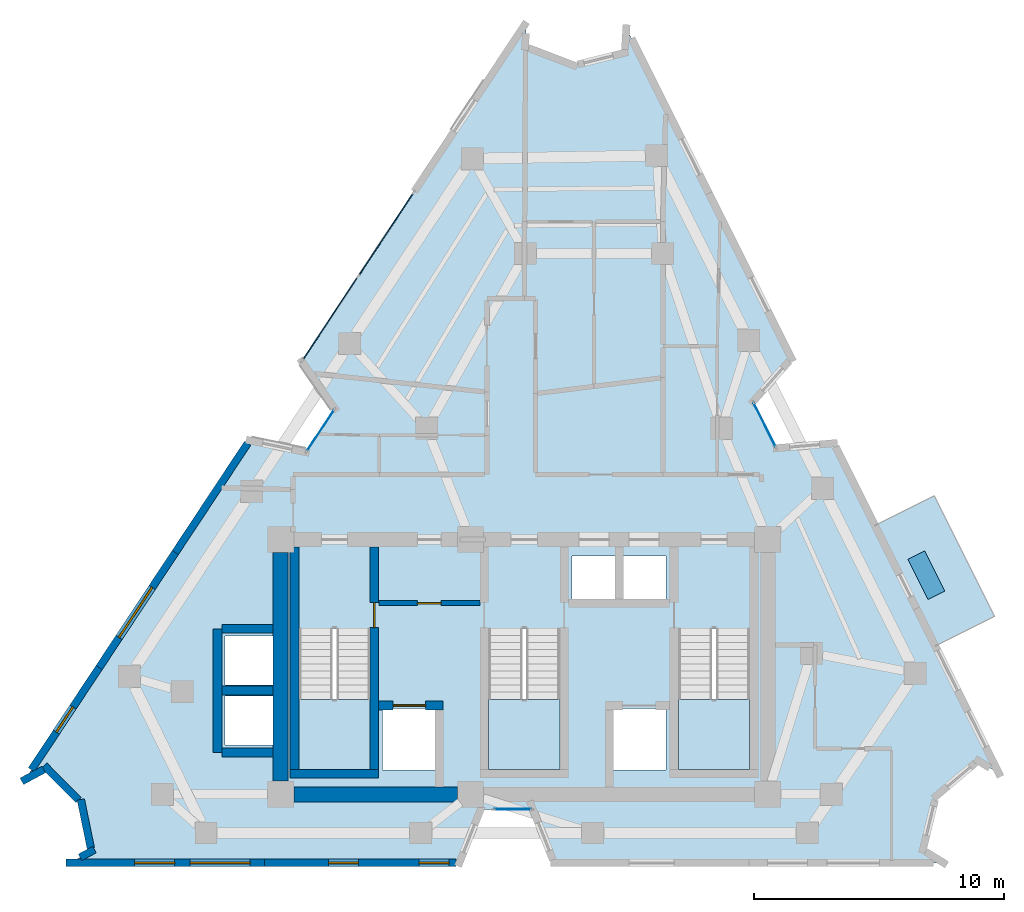
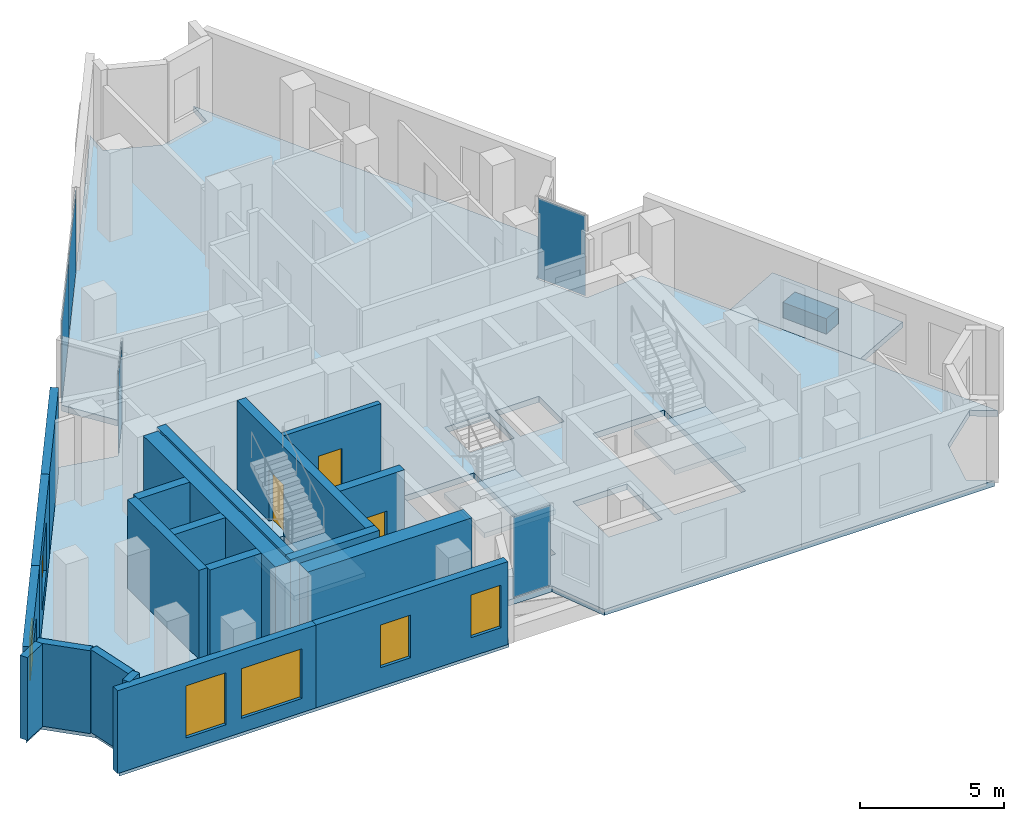
# One storey, part 4 of 9: 20 walls, 6 plates, 6 windows, 5 slabs, 3 doors, 9 openings, 7 elements without a shape of their own.
"""IFC4 building model written with IfcOpenShell, lengths in metres."""

from ifc_helpers import new_model, si_unit, direction, frame, frame_2d, origin, origin_2d, place, context, subcontext, project, spatial, polyline, rectangle, outline, extrude, material, layer, layer_set, type_object, element, fill, aggregate, save


model = new_model("IFC4")

# Units and contexts
model_context = context("Model", 3, precision=1e-05, world=origin(), true_north=direction((0.0, 1.0)))
body_context = subcontext(model_context, "Body", "Model", "MODEL_VIEW")
ifc_project = project(units=[si_unit("LENGTHUNIT", "METRE"), si_unit("AREAUNIT", "SQUARE_METRE"), si_unit("VOLUMEUNIT", "CUBIC_METRE"), si_unit("PLANEANGLEUNIT", "RADIAN"), si_unit("MASSUNIT", "GRAM", prefix="KILO")], contexts=[model_context])

# Site, building, storey
site_placement = place(None, origin())
site = spatial("IfcSite", under=ifc_project, at=site_placement, CompositionType="ELEMENT")
building_placement = place(site_placement, origin())
building = spatial("IfcBuilding", under=site, at=building_placement, Name="Almagre Mirador Tower", CompositionType="ELEMENT")
storey_placement = place(building_placement, frame((0.0, 0.0, 259.5)))
storey = spatial("IfcBuildingStorey", under=building, at=storey_placement, Name="L67", CompositionType="ELEMENT", Elevation=259.5)

# Curtain wall, plate
ifc_material_1 = material(Name="Black anodized aluminium", Category="aluminium")
ifc_layer_1 = layer(ifc_material_1, 0.169921875)
ifc_layer_set_1 = layer_set([ifc_layer_1], Name="Black anodized aluminium")
curtain_wall_type_1 = type_object("IfcCurtainWallType", Name="CW-CRS-SYS", PredefinedType="NOTDEFINED", material=ifc_layer_set_1)
curtain_wall_1_placement = place(storey_placement, origin())
curtain_wall_1 = element("IfcCurtainWall", 1, at=curtain_wall_1_placement, inside=storey, type_object=curtain_wall_type_1, Name="L67 vertical crease curtain wall 01", PredefinedType="NOTDEFINED")
ifc_material_2 = material(Name="Dark solar-control laminated hurricane glass", Category="glass")
ifc_layer_2 = layer(ifc_material_2, 0.028076171875)
ifc_layer_set_2 = layer_set([ifc_layer_2], Name="Dark solar-control laminated hurricane glass")
plate_type_1 = type_object("IfcPlateType", Name="PLT-GLZ-28", PredefinedType="CURTAIN_PANEL", material=ifc_layer_set_2)
plate_1_placement = place(storey_placement, frame((29.14306640625, 19.113037109375, 0.06005859375), z_axis=(0.0, 0.0, 1.0), x_axis=(0.552268175274, 0.833666517607, 0.0)))
plate_1 = element("IfcPlate", 2, at=plate_1_placement, type_object=plate_type_1, Name="CW-4 panel 1.1", PredefinedType="CURTAIN_PANEL", context=body_context, shape_type="SweptSolid", body=[
    extrude(rectangle(XDim=1.969482421875, YDim=0.028076171875, at=origin_2d()), origin(), (0.0, 0.0, 1.0), 3.3798828125),
])
aggregate(curtain_wall_1, [plate_1])

curtain_wall_2_placement = place(storey_placement, origin())
curtain_wall_2 = element("IfcCurtainWall", 3, at=curtain_wall_2_placement, inside=storey, type_object=curtain_wall_type_1, Name="L67 vertical crease curtain wall 03", PredefinedType="NOTDEFINED")
plate_2_placement = place(storey_placement, frame((46.927001953125, 19.33837890625, 0.06005859375), z_axis=(0.0, 0.0, 1.0), x_axis=(0.447022141087, -0.894522892596, 0.0)))
plate_2 = element("IfcPlate", 4, at=plate_2_placement, type_object=plate_type_1, Name="CW-4 panel 1.1", PredefinedType="CURTAIN_PANEL", context=body_context, shape_type="SweptSolid", body=[
    extrude(rectangle(XDim=1.969482421875, YDim=0.028076171875, at=origin_2d()), origin(), (0.0, 0.0, 1.0), 3.3798828125),
])
aggregate(curtain_wall_2, [plate_2])

curtain_wall_3_placement = place(storey_placement, origin())
curtain_wall_3 = element("IfcCurtainWall", 5, at=curtain_wall_3_placement, inside=storey, type_object=curtain_wall_type_1, Name="L67 vertical crease curtain wall 04", PredefinedType="NOTDEFINED")
plate_3_placement = place(storey_placement, frame((36.840087890625, 3.949951171875, 0.06005859375), z_axis=(0.0, 0.0, 1.0), x_axis=(-1.0, 0.0, 0.0)))
plate_3 = element("IfcPlate", 6, at=plate_3_placement, type_object=plate_type_1, Name="CW-4 panel 1.1", PredefinedType="CURTAIN_PANEL", context=body_context, shape_type="SweptSolid", body=[
    extrude(rectangle(XDim=1.489990234375, YDim=0.028076171875, at=origin_2d()), origin(), (0.0, 0.0, 1.0), 3.3798828125),
])
aggregate(curtain_wall_3, [plate_3])

# Curtain wall, plates
ifc_material_3 = material(Name="Black anodized aluminium", Category="aluminium")
ifc_layer_3 = layer(ifc_material_3, 0.199951171875)
ifc_layer_set_3 = layer_set([ifc_layer_3], Name="Black anodized aluminium")
curtain_wall_type_2 = type_object("IfcCurtainWallType", Name="CW-RES-H-SYS", PredefinedType="NOTDEFINED", material=ifc_layer_set_3)
curtain_wall_4_placement = place(storey_placement, origin())
curtain_wall_4 = element("IfcCurtainWall", 7, at=curtain_wall_4_placement, inside=storey, type_object=curtain_wall_type_2, Name="L67 curtain wall run 02", PredefinedType="NOTDEFINED")
ifc_material_4 = material(Name="Dark solar-control laminated hurricane glass", Category="glass")
ifc_layer_4 = layer(ifc_material_4, 0.035888671875)
ifc_layer_set_4 = layer_set([ifc_layer_4], Name="Dark solar-control laminated hurricane glass")
plate_type_2 = type_object("IfcPlateType", Name="PLT-GLZ-36", PredefinedType="CURTAIN_PANEL", material=ifc_layer_set_4)
plate_4_placement = place(storey_placement, frame((29.531982421875, 23.59521484375, 0.06494140625), z_axis=(0.0, 0.0, 1.0), x_axis=(0.552104840999, 0.833774696513, 0.0)))
plate_4 = element("IfcPlate", 8, at=plate_4_placement, type_object=plate_type_2, Name="CW-3 panel 1.1", PredefinedType="CURTAIN_PANEL", context=body_context, shape_type="SweptSolid", body=[
    extrude(rectangle(XDim=3.974609375, YDim=0.035888671875, at=origin_2d()), origin(), (0.0, 0.0, 1.0), 3.3701171875),
])
plate_5_placement = place(storey_placement, frame((31.762451171875, 26.96337890625, 0.06494140625), z_axis=(0.0, 0.0, 1.0), x_axis=(0.552104840999, 0.833774696513, 0.0)))
plate_5 = element("IfcPlate", 9, at=plate_5_placement, type_object=plate_type_2, Name="CW-3 panel 2.1", PredefinedType="CURTAIN_PANEL", context=body_context, shape_type="SweptSolid", body=[
    extrude(rectangle(XDim=3.974609375, YDim=0.035888671875, at=origin_2d()), origin(), (0.0, 0.0, 1.0), 3.3701171875),
])
aggregate(curtain_wall_4, [plate_4, plate_5])

# Plate
ifc_material_5 = material(Name="Precast concrete C50/60", Category="concrete")
ifc_layer_5 = layer(ifc_material_5, 0.64990234375)
ifc_layer_set_5 = layer_set([ifc_layer_5], Name="Precast concrete C50/60")
plate_type_3 = type_object("IfcPlateType", Name="PLT-PLANTER-1800", PredefinedType="USERDEFINED", material=ifc_layer_set_5)
plate_6_placement = place(storey_placement, frame((53.39990234375, 13.324951171875, 0.0), z_axis=(0.0, 0.0, 1.0), x_axis=(-0.44721279659, 0.894427590455, 0.0)))
element("IfcPlate", 10, at=plate_6_placement, inside=storey, type_object=plate_type_3, Name="L67 east balcony structural tree planter 1", ObjectType="PLANTER", PredefinedType="USERDEFINED", context=body_context, shape_type="SweptSolid", body=[
    extrude(rectangle(XDim=1.800048828125, YDim=0.75, at=origin_2d()), origin(), (0.0, 0.0, 1.0), 0.64990234375),
])

# Slabs
ifc_material_6 = material(Name="Concrete C45/55", Category="concrete")
ifc_layer_6 = layer(ifc_material_6, 0.239990234375)
ifc_layer_set_6 = layer_set([ifc_layer_6], Name="Concrete C45/55")
slab_type_1 = type_object("IfcSlabType", Name="SLB-BAL-240", PredefinedType="USERDEFINED", material=ifc_layer_set_6)
slab_1_placement = place(storey_placement, frame((0.0, 0.0, -0.239990234375)))
element("IfcSlab", 11, at=slab_1_placement, inside=storey, type_object=slab_type_1, Name="L67 east planted tree balcony 1", ObjectType="BALCONY", PredefinedType="USERDEFINED", context=body_context, shape_type="SweptSolid", body=[
    extrude(outline(polyline([(53.739013671875, 10.47607421875), (51.324951171875, 15.305908203125), (53.712890625, 16.5), (56.1279296875, 11.669921875), (53.739013671875, 10.47607421875)])), origin(), (0.0, 0.0, 1.0), 0.239990234375),
])
ifc_material_7 = material(Name="Concrete C45/55", Category="concrete")
ifc_layer_7 = layer(ifc_material_7, 0.25)
ifc_layer_set_7 = layer_set([ifc_layer_7], Name="Concrete C45/55")
slab_type_2 = type_object("IfcSlabType", Name="SLB-FLR-250", PredefinedType="FLOOR", material=ifc_layer_set_7)
slab_2_placement = place(storey_placement, frame((0.0, 0.0, -0.25)))
element("IfcSlab", 12, at=slab_2_placement, inside=storey, type_object=slab_type_2, Name="L67 structural floor slab", PredefinedType="FLOOR", context=body_context, shape_type="SweptSolid", body=[
    extrude(outline(polyline([(17.30810546875, 5.135009765625), (18.180908203125, 5.60400390625), (19.574951171875, 4.2041015625), (19.971923828125, 2.26904296875), (19.10009765625, 1.800048828125), (34.699951171875, 1.800048828125), (35.554931640625, 3.949951171875), (37.64501953125, 3.949951171875), (38.5, 1.800048828125), (54.10009765625, 1.800048828125), (53.258056640625, 2.320068359375), (53.779052734375, 4.470947265625), (55.468994140625, 5.89794921875), (56.31103515625, 5.3779296875), (49.699951171875, 18.60107421875), (47.39404296875, 18.404052734375), (46.4599609375, 20.27294921875), (48.0, 21.9990234375), (41.388916015625, 35.221923828125), (41.3291015625, 34.23388671875), (39.2919921875, 33.72900390625), (37.33203125, 34.47705078125), (37.39208984375, 35.465087890625), (28.39892578125, 21.884033203125), (29.719970703125, 19.98388671875), (28.56591796875, 18.241943359375), (26.301025390625, 18.716064453125), (17.30810546875, 5.135009765625)]), holes=[polyline([(43.47509765625, 5.550048828125), (43.47509765625, 11.196044921875), (46.324951171875, 11.196044921875), (46.324951171875, 5.550048828125), (43.47509765625, 5.550048828125)]), polyline([(41.219970703125, 12.320068359375), (41.219970703125, 14.080078125), (42.97998046875, 14.080078125), (42.97998046875, 12.320068359375), (41.219970703125, 12.320068359375)]), polyline([(42.97998046875, 5.52001953125), (40.820068359375, 5.52001953125), (40.820068359375, 7.97998046875), (42.97998046875, 7.97998046875), (42.97998046875, 5.52001953125)]), polyline([(39.219970703125, 12.320068359375), (39.219970703125, 14.080078125), (40.97998046875, 14.080078125), (40.97998046875, 12.320068359375), (39.219970703125, 12.320068359375)]), polyline([(35.875, 5.550048828125), (35.875, 11.196044921875), (38.72509765625, 11.196044921875), (38.72509765625, 5.550048828125), (35.875, 5.550048828125)]), polyline([(33.780029296875, 5.52001953125), (31.6201171875, 5.52001953125), (31.6201171875, 7.97998046875), (33.780029296875, 7.97998046875), (33.780029296875, 5.52001953125)]), polyline([(28.27490234375, 5.550048828125), (28.27490234375, 11.196044921875), (31.125, 11.196044921875), (31.125, 5.550048828125), (28.27490234375, 5.550048828125)]), polyline([(27.3798828125, 6.52001953125), (25.320068359375, 6.52001953125), (25.320068359375, 8.47998046875), (27.3798828125, 8.47998046875), (27.3798828125, 6.52001953125)]), polyline([(27.3798828125, 8.919921875), (25.320068359375, 8.919921875), (25.320068359375, 10.8798828125), (27.3798828125, 10.8798828125), (27.3798828125, 8.919921875)])]), origin(), (0.0, 0.0, 1.0), 0.25),
])

# Stair, slab
ifc_material_8 = material(Name="Concrete C45/55", Category="concrete")
stair_type = type_object("IfcStairType", Name="STR-DL-3750", PredefinedType="HALF_TURN_STAIR", material=ifc_material_8)
stair_1_placement = place(storey_placement, origin())
stair_1 = element("IfcStair", 13, at=stair_1_placement, inside=storey, type_object=stair_type, Name="L67 Protected exit stair ST-1", PredefinedType="HALF_TURN_STAIR")
ifc_material_9 = material(Name="Concrete C45/55", Category="concrete")
ifc_layer_8 = layer(ifc_material_9, 0.199951171875)
ifc_layer_set_8 = layer_set([ifc_layer_8], Name="Concrete C45/55")
slab_type_3 = type_object("IfcSlabType", Name="SLB-LND-200", PredefinedType="LANDING", material=ifc_layer_set_8)
slab_3_placement = place(storey_placement, frame((0.0, 0.0, 1.675048828125)))
slab_3 = element("IfcSlab", 14, at=slab_3_placement, type_object=slab_type_3, Name="ST-1 landing 1", PredefinedType="LANDING", context=body_context, shape_type="SweptSolid", body=[
    extrude(outline(polyline([(28.27490234375, 8.35009765625), (28.27490234375, 5.550048828125), (31.125, 5.550048828125), (31.125, 8.35009765625), (28.27490234375, 8.35009765625)])), origin(), (0.0, 0.0, 1.0), 0.199951171875),
])
aggregate(stair_1, [slab_3])

stair_2_placement = place(storey_placement, origin())
stair_2 = element("IfcStair", 15, at=stair_2_placement, inside=storey, type_object=stair_type, Name="L67 Protected exit stair ST-2", PredefinedType="HALF_TURN_STAIR")
slab_4_placement = place(storey_placement, frame((0.0, 0.0, 1.675048828125)))
slab_4 = element("IfcSlab", 16, at=slab_4_placement, type_object=slab_type_3, Name="ST-2 landing 1", PredefinedType="LANDING", context=body_context, shape_type="SweptSolid", body=[
    extrude(outline(polyline([(35.875, 8.35009765625), (35.875, 5.550048828125), (38.72509765625, 5.550048828125), (38.72509765625, 8.35009765625), (35.875, 8.35009765625)])), origin(), (0.0, 0.0, 1.0), 0.199951171875),
])
aggregate(stair_2, [slab_4])

stair_3_placement = place(storey_placement, origin())
stair_3 = element("IfcStair", 17, at=stair_3_placement, inside=storey, type_object=stair_type, Name="L67 Protected exit stair ST-3", PredefinedType="HALF_TURN_STAIR")
slab_5_placement = place(storey_placement, frame((0.0, 0.0, 1.675048828125)))
slab_5 = element("IfcSlab", 18, at=slab_5_placement, type_object=slab_type_3, Name="ST-3 landing 1", PredefinedType="LANDING", context=body_context, shape_type="SweptSolid", body=[
    extrude(outline(polyline([(43.47509765625, 8.35009765625), (43.47509765625, 5.550048828125), (46.324951171875, 5.550048828125), (46.324951171875, 8.35009765625), (43.47509765625, 8.35009765625)])), origin(), (0.0, 0.0, 1.0), 0.199951171875),
])
aggregate(stair_3, [slab_5])

# Wall, openings, windows
ifc_material_10 = material(Name="Precast concrete C50/60", Category="concrete")
ifc_layer_9 = layer(ifc_material_10, 0.300048828125)
ifc_layer_set_9 = layer_set([ifc_layer_9], Name="Precast concrete C50/60")
wall_type_1 = type_object("IfcWallType", Name="WAL-EXT-300", PredefinedType="SOLIDWALL", material=ifc_layer_set_9)
wall_1_placement = place(storey_placement, frame((34.56005859375, 1.800048828125, 0.0), z_axis=(0.0, 0.0, 1.0), x_axis=(-1.0, 0.0, 0.0)))
wall_1 = element("IfcWall", 19, at=wall_1_placement, inside=storey, type_object=wall_type_1, Name="L67 expressed almagre precast frame wall 22", PredefinedType="SOLIDWALL", context=body_context, shape_type="SweptSolid", body=[
    extrude(rectangle(XDim=7.66015625, YDim=0.300048828125, at=frame_2d((3.830078125, 0.0))), origin(), (0.0, 0.0, 1.0), 3.5),
])
opening_1_placement = place(wall_1_placement, frame((3.89501953125, 0.0, 0.800048828125)))
opening_1 = element("IfcOpeningElement", 20, at=opening_1_placement, cuts=wall_1, Name="Opening WN-04", PredefinedType="OPENING", context=body_context, shape_type="SweptSolid", body=[
    extrude(rectangle(XDim=1.199951171875, YDim=1.800048828125, at=frame_2d((0.60009765625, 0.89990234375))), frame((0.0, 0.159902, 0.0), z_axis=(0.0, -1.0, 0.0), x_axis=(1.0, 0.0, 0.0)), (0.0, 0.0, 1.0), 0.320049),
])
opening_2_placement = place(wall_1_placement, frame((0.27001953125, 0.0, 0.800048828125)))
opening_2 = element("IfcOpeningElement", 21, at=opening_2_placement, cuts=wall_1, Name="Opening WN-04", PredefinedType="OPENING", context=body_context, shape_type="SweptSolid", body=[
    extrude(rectangle(XDim=1.199951171875, YDim=1.800048828125, at=frame_2d((0.60009765625, 0.89990234375))), frame((0.0, 0.159902, 0.0), z_axis=(0.0, -1.0, 0.0), x_axis=(1.0, 0.0, 0.0)), (0.0, 0.0, 1.0), 0.320049),
])
ifc_material_11 = material(Name="Dark solar-control laminated hurricane glass", Category="glass")
window_type_1 = type_object("IfcWindowType", Name="WIN-1200X1800", PartitioningType="SINGLE_PANEL", PredefinedType="WINDOW", material=ifc_material_11)
window_1_placement = place(opening_1_placement, origin())
window_1 = element("IfcWindow", 22, at=window_1_placement, inside=storey, type_object=window_type_1, Name="L67 recessed hurricane window L67-UB-KT", OverallHeight=1.800048828125, OverallWidth=1.199951171875, PartitioningType="SINGLE_PANEL", PredefinedType="WINDOW", context=body_context, shape_type="SweptSolid", body=[
    extrude(rectangle(XDim=1.199951171875, YDim=1.800048828125, at=frame_2d((0.60009765625, 0.89990234375))), frame((0.0, 0.030029296875, 0.0), z_axis=(0.0, -1.0, 0.0), x_axis=(1.0, 0.0, 0.0)), (0.0, 0.0, 1.0), 0.06005859375),
])
fill(opening_1, window_1)
window_2_placement = place(opening_2_placement, origin())
window_2 = element("IfcWindow", 23, at=window_2_placement, inside=storey, type_object=window_type_1, Name="L67 recessed hurricane window L67-UB-SD1", OverallHeight=1.800048828125, OverallWidth=1.199951171875, PartitioningType="SINGLE_PANEL", PredefinedType="WINDOW", context=body_context, shape_type="SweptSolid", body=[
    extrude(rectangle(XDim=1.199951171875, YDim=1.800048828125, at=frame_2d((0.60009765625, 0.89990234375))), frame((0.0, 0.030029296875, 0.0), z_axis=(0.0, -1.0, 0.0), x_axis=(1.0, 0.0, 0.0)), (0.0, 0.0, 1.0), 0.06005859375),
])
fill(opening_2, window_2)

wall_2_placement = place(storey_placement, frame((26.89990234375, 1.800048828125, 0.0), z_axis=(0.0, 0.0, 1.0), x_axis=(-1.0, 0.0, 0.0)))
wall_2 = element("IfcWall", 24, at=wall_2_placement, inside=storey, type_object=wall_type_1, Name="L67 expressed almagre precast frame wall 23", PredefinedType="SOLIDWALL", context=body_context, shape_type="SweptSolid", body=[
    extrude(rectangle(XDim=7.93994140625, YDim=0.300048828125, at=frame_2d((3.969970703125, 0.0))), origin(), (0.0, 0.0, 1.0), 3.5),
])
opening_3_placement = place(wall_2_placement, frame((3.60009765625, 0.0, 0.550048828125)))
opening_3 = element("IfcOpeningElement", 25, at=opening_3_placement, cuts=wall_2, Name="Opening WN-06", PredefinedType="OPENING", context=body_context, shape_type="SweptSolid", body=[
    extrude(rectangle(XDim=1.60009765625, YDim=2.199951171875, at=frame_2d((0.800048828125, 1.10009765625))), frame((0.0, 0.159902, 0.0), z_axis=(0.0, -1.0, 0.0), x_axis=(1.0, 0.0, 0.0)), (0.0, 0.0, 1.0), 0.320049),
])
opening_4_placement = place(wall_2_placement, frame((0.574951171875, 0.0, 0.60009765625)))
opening_4 = element("IfcOpeningElement", 26, at=opening_4_placement, cuts=wall_2, Name="Opening WN-02", PredefinedType="OPENING", context=body_context, shape_type="SweptSolid", body=[
    extrude(rectangle(XDim=2.39990234375, YDim=2.10009765625, at=frame_2d((1.199951171875, 1.050048828125))), frame((0.0, 0.159902, 0.0), z_axis=(0.0, -1.0, 0.0), x_axis=(1.0, 0.0, 0.0)), (0.0, 0.0, 1.0), 0.320049),
])
ifc_material_12 = material(Name="Dark solar-control laminated hurricane glass", Category="glass")
window_type_2 = type_object("IfcWindowType", Name="WIN-1600X2200", PartitioningType="DOUBLE_PANEL_VERTICAL", PredefinedType="WINDOW", material=ifc_material_12)
window_3_placement = place(opening_3_placement, origin())
window_3 = element("IfcWindow", 27, at=window_3_placement, inside=storey, type_object=window_type_2, Name="L67 recessed hurricane window L67-UA-KT", OverallHeight=2.199951171875, OverallWidth=1.60009765625, PartitioningType="SINGLE_PANEL", PredefinedType="WINDOW", context=body_context, shape_type="SweptSolid", body=[
    extrude(rectangle(XDim=1.60009765625, YDim=2.199951171875, at=frame_2d((0.800048828125, 1.10009765625))), frame((0.0, 0.030029296875, 0.0), z_axis=(0.0, -1.0, 0.0), x_axis=(1.0, 0.0, 0.0)), (0.0, 0.0, 1.0), 0.06005859375),
])
fill(opening_3, window_3)
ifc_material_13 = material(Name="Dark solar-control laminated hurricane glass", Category="glass")
window_type_3 = type_object("IfcWindowType", Name="WIN-2400X2100", PartitioningType="TRIPLE_PANEL_VERTICAL", PredefinedType="WINDOW", material=ifc_material_13)
window_4_placement = place(opening_4_placement, origin())
window_4 = element("IfcWindow", 28, at=window_4_placement, inside=storey, type_object=window_type_3, Name="L67 recessed hurricane window L67-UB-KT", OverallHeight=2.10009765625, OverallWidth=2.39990234375, PartitioningType="SINGLE_PANEL", PredefinedType="WINDOW", context=body_context, shape_type="SweptSolid", body=[
    extrude(rectangle(XDim=2.39990234375, YDim=2.10009765625, at=frame_2d((1.199951171875, 1.050048828125))), frame((0.0, 0.030029296875, 0.0), z_axis=(0.0, -1.0, 0.0), x_axis=(1.0, 0.0, 0.0)), (0.0, 0.0, 1.0), 0.06005859375),
])
fill(opening_4, window_4)

# Walls
wall_3_placement = place(storey_placement, frame((19.518310546875, 2.02490234375, 0.0), z_axis=(0.0, 0.0, 1.0), x_axis=(0.8806864219, 0.47369972164, 0.0)))
element("IfcWall", 29, at=wall_3_placement, inside=storey, type_object=wall_type_1, Name="L67 expressed almagre precast frame wall 24", PredefinedType="SOLIDWALL", context=body_context, shape_type="SweptSolid", body=[
    extrude(rectangle(XDim=0.655029296875, YDim=0.300048828125, at=frame_2d((0.32763671875, 0.0))), origin(), (0.0, 0.0, 1.0), 3.5),
])
wall_4_placement = place(storey_placement, frame((19.94580078125, 2.396484375, 0.0), z_axis=(0.0, 0.0, 1.0), x_axis=(-0.200962300898, 0.979598975917, 0.0)))
element("IfcWall", 30, at=wall_4_placement, inside=storey, type_object=wall_type_1, Name="L67 expressed almagre precast frame wall 25", PredefinedType="SOLIDWALL", context=body_context, shape_type="SweptSolid", body=[
    extrude(rectangle(XDim=1.985107421875, YDim=0.300048828125, at=frame_2d((0.99267578125, 0.0))), origin(), (0.0, 0.0, 1.0), 3.5),
])
wall_5_placement = place(storey_placement, frame((19.465576171875, 4.313720703125, 0.0), z_axis=(0.0, 0.0, 1.0), x_axis=(-0.705548527825, 0.708661608163, 0.0)))
element("IfcWall", 31, at=wall_5_placement, inside=storey, type_object=wall_type_1, Name="L67 expressed almagre precast frame wall 26", PredefinedType="SOLIDWALL", context=body_context, shape_type="SweptSolid", body=[
    extrude(rectangle(XDim=1.960693359375, YDim=0.300048828125, at=frame_2d((0.98046875, 0.0))), origin(), (0.0, 0.0, 1.0), 3.5),
])
wall_6_placement = place(storey_placement, frame((18.06640625, 5.54248046875, 0.0), z_axis=(0.0, 0.0, 1.0), x_axis=(-0.880815496191, -0.473459672696, 0.0)))
element("IfcWall", 32, at=wall_6_placement, inside=storey, type_object=wall_type_1, Name="L67 expressed almagre precast frame wall 27", PredefinedType="SOLIDWALL", context=body_context, shape_type="SweptSolid", body=[
    extrude(rectangle(XDim=1.0009765625, YDim=0.300048828125, at=frame_2d((0.50048828125, 0.0))), origin(), (0.0, 0.0, 1.0), 3.5),
])

# Wall, opening, window
wall_7_placement = place(storey_placement, frame((17.5703125, 5.531005859375, 0.0), z_axis=(0.0, 0.0, 1.0), x_axis=(0.552080051764, 0.833791110797, 0.0)))
wall_7 = element("IfcWall", 33, at=wall_7_placement, inside=storey, type_object=wall_type_1, Name="L67 expressed almagre precast frame wall 28", PredefinedType="SOLIDWALL", context=body_context, shape_type="SweptSolid", body=[
    extrude(rectangle(XDim=4.90771484375, YDim=0.300048828125, at=frame_2d((2.453857421875, 0.0))), origin(), (0.0, 0.0, 1.0), 3.5),
])
opening_5_placement = place(wall_7_placement, frame((1.81005859375, 0.0, 0.800048828125)))
opening_5 = element("IfcOpeningElement", 34, at=opening_5_placement, cuts=wall_7, Name="Opening WN-04", PredefinedType="OPENING", context=body_context, shape_type="SweptSolid", body=[
    extrude(rectangle(XDim=1.199951171875, YDim=1.800048828125, at=frame_2d((0.60009765625, 0.89990234375))), frame((0.0, 0.159902, 0.0), z_axis=(0.0, -1.0, 0.0), x_axis=(1.0, 0.0, 0.0)), (0.0, 0.0, 1.0), 0.320049),
])
window_5_placement = place(opening_5_placement, origin())
window_5 = element("IfcWindow", 35, at=window_5_placement, inside=storey, type_object=window_type_1, Name="L67 recessed hurricane window L67-RST-D", OverallHeight=1.800048828125, OverallWidth=1.199951171875, PartitioningType="SINGLE_PANEL", PredefinedType="WINDOW", context=body_context, shape_type="SweptSolid", body=[
    extrude(rectangle(XDim=1.199951171875, YDim=1.800048828125, at=frame_2d((0.60009765625, 0.89990234375))), frame((0.0, 0.030029296875, 0.0), z_axis=(0.0, -1.0, 0.0), x_axis=(1.0, 0.0, 0.0)), (0.0, 0.0, 1.0), 0.06005859375),
])
fill(opening_5, window_5)

wall_8_placement = place(storey_placement, frame((20.27978515625, 9.623046875, 0.0), z_axis=(0.0, 0.0, 1.0), x_axis=(0.552126828235, 0.833760136696, 0.0)))
wall_8 = element("IfcWall", 36, at=wall_8_placement, inside=storey, type_object=wall_type_1, Name="L67 expressed almagre precast frame wall 29", PredefinedType="SOLIDWALL", context=body_context, shape_type="SweptSolid", body=[
    extrude(rectangle(XDim=5.52294921875, YDim=0.300048828125, at=frame_2d((2.761474609375, 0.0))), origin(), (0.0, 0.0, 1.0), 3.5),
])
opening_6_placement = place(wall_8_placement, frame((1.449951171875, 0.0, 0.60009765625)))
opening_6 = element("IfcOpeningElement", 37, at=opening_6_placement, cuts=wall_8, Name="Opening WN-02", PredefinedType="OPENING", context=body_context, shape_type="SweptSolid", body=[
    extrude(rectangle(XDim=2.39990234375, YDim=2.10009765625, at=frame_2d((1.199951171875, 1.050048828125))), frame((0.0, 0.159902, 0.0), z_axis=(0.0, -1.0, 0.0), x_axis=(1.0, 0.0, 0.0)), (0.0, 0.0, 1.0), 0.320049),
])
window_6_placement = place(opening_6_placement, origin())
window_6 = element("IfcWindow", 38, at=window_6_placement, inside=storey, type_object=window_type_3, Name="L67 recessed hurricane window L67-RST-D", OverallHeight=2.10009765625, OverallWidth=2.39990234375, PartitioningType="SINGLE_PANEL", PredefinedType="WINDOW", context=body_context, shape_type="SweptSolid", body=[
    extrude(rectangle(XDim=2.39990234375, YDim=2.10009765625, at=frame_2d((1.199951171875, 1.050048828125))), frame((0.0, 0.030029296875, 0.0), z_axis=(0.0, -1.0, 0.0), x_axis=(1.0, 0.0, 0.0)), (0.0, 0.0, 1.0), 0.06005859375),
])
fill(opening_6, window_6)

# Wall
wall_9_placement = place(storey_placement, frame((23.3291015625, 14.227783203125, 0.0), z_axis=(0.0, 0.0, 1.0), x_axis=(0.55209952842, 0.833778214347, 0.0)))
element("IfcWall", 39, at=wall_9_placement, inside=storey, type_object=wall_type_1, Name="L67 expressed almagre precast frame wall 30", PredefinedType="SOLIDWALL", context=body_context, shape_type="SweptSolid", body=[
    extrude(rectangle(XDim=5.248046875, YDim=0.300048828125, at=frame_2d((2.6240234375, 0.0))), origin(), (0.0, 0.0, 1.0), 3.5),
])

# Wall, opening, door
ifc_material_14 = material(Name="Gypsum acoustic stud partition", Category="other")
ifc_layer_10 = layer(ifc_material_14, 0.199951171875)
ifc_layer_set_10 = layer_set([ifc_layer_10], Name="Gypsum acoustic stud partition")
wall_type_2 = type_object("IfcWallType", Name="WAL-PRT-200-EI60", PredefinedType="PARTITIONING", material=ifc_layer_set_10)
wall_10_placement = place(storey_placement, frame((31.47998046875, 12.199951171875, 0.0), z_axis=(0.0, 0.0, 1.0), x_axis=(1.0, 0.0, 0.0)))
wall_10 = element("IfcWall", 40, at=wall_10_placement, inside=storey, type_object=wall_type_2, Name="L67 FFL-1 north enclosure wall", PredefinedType="PARTITIONING", context=body_context, shape_type="SweptSolid", body=[
    extrude(rectangle(XDim=4.0400390625, YDim=0.199951171875, at=frame_2d((2.02001953125, 0.0))), origin(), (0.0, 0.0, 1.0), 3.5),
])
opening_7_placement = place(wall_10_placement, frame((1.544921875, 0.0, 0.0)))
opening_7 = element("IfcOpeningElement", 41, at=opening_7_placement, cuts=wall_10, Name="Opening ID-02", PredefinedType="OPENING", context=body_context, shape_type="SweptSolid", body=[
    extrude(rectangle(XDim=0.949951171875, YDim=2.14990234375, at=frame_2d((0.47509765625, 1.074951171875))), frame((0.0, 0.110098, 0.0), z_axis=(0.0, -1.0, 0.0), x_axis=(1.0, 0.0, 0.0)), (0.0, 0.0, 1.0), 0.219951),
])
ifc_material_15 = material(Name="Fire-rated walnut timber", Category="wood")
door_type_1 = type_object("IfcDoorType", Name="DOR-FD60-950X2150", OperationType="NOTDEFINED", PredefinedType="DOOR", material=ifc_material_15)
door_1_placement = place(opening_7_placement, origin())
door_1 = element("IfcDoor", 42, at=door_1_placement, inside=storey, type_object=door_type_1, Name="DR-2045 L67 FFL-1 north smoke door", OperationType="SINGLE_SWING_LEFT", OverallHeight=2.14990234375, OverallWidth=0.949951171875, PredefinedType="DOOR", context=body_context, shape_type="SweptSolid", body=[
    extrude(rectangle(XDim=0.949951171875, YDim=2.14990234375, at=frame_2d((0.47509765625, 1.074951171875))), frame((0.0, 0.02490234375, 0.0), z_axis=(0.0, -1.0, 0.0), x_axis=(1.0, 0.0, 0.0)), (0.0, 0.0, 1.0), 0.050048828125),
])
fill(opening_7, door_1)

# Wall
ifc_material_16 = material(Name="Concrete C60/75", Category="concrete")
ifc_layer_11 = layer(ifc_material_16, 0.35009765625)
ifc_layer_set_11 = layer_set([ifc_layer_11], Name="Concrete C60/75")
wall_type_3 = type_object("IfcWallType", Name="WAL-SHF-350", PredefinedType="SOLIDWALL", material=ifc_layer_set_11)
wall_11_placement = place(storey_placement, frame((28.10009765625, 5.199951171875, 0.0), z_axis=(0.0, 0.0, 1.0), x_axis=(0.0, 1.0, 0.0)))
element("IfcWall", 43, at=wall_11_placement, inside=storey, type_object=wall_type_3, Name="L67 shaft wall ST1-W", PredefinedType="SOLIDWALL", context=body_context, shape_type="SweptSolid", body=[
    extrude(rectangle(XDim=9.25, YDim=0.35009765625, at=frame_2d((4.625, 0.0))), origin(), (0.0, 0.0, 1.0), 3.75),
])

# Wall, opening, door
wall_12_placement = place(storey_placement, frame((31.300048828125, 5.199951171875, 0.0), z_axis=(0.0, 0.0, 1.0), x_axis=(0.0, 1.0, 0.0)))
wall_12 = element("IfcWall", 44, at=wall_12_placement, inside=storey, type_object=wall_type_3, Name="L67 shaft wall ST1-E", PredefinedType="SOLIDWALL", context=body_context, shape_type="SweptSolid", body=[
    extrude(rectangle(XDim=9.25, YDim=0.35009765625, at=frame_2d((4.625, 0.0))), origin(), (0.0, 0.0, 1.0), 3.75),
])
opening_8_placement = place(wall_12_placement, frame((6.02001953125, 0.0, 0.0)))
opening_8 = element("IfcOpeningElement", 45, at=opening_8_placement, cuts=wall_12, Name="Opening FD-01", PredefinedType="OPENING", context=body_context, shape_type="SweptSolid", body=[
    extrude(rectangle(XDim=1.0, YDim=2.14990234375, at=frame_2d((0.5, 1.074951171875))), frame((0.0, 0.185049, 0.0), z_axis=(0.0, -1.0, 0.0), x_axis=(1.0, 0.0, 0.0)), (0.0, 0.0, 1.0), 0.370098),
])
ifc_material_17 = material(Name="Fire-rated hollow steel", Category="steel")
door_type_2 = type_object("IfcDoorType", Name="DOR-FFL-1000X2150", OperationType="NOTDEFINED", PredefinedType="DOOR", material=ifc_material_17)
door_2_placement = place(opening_8_placement, origin())
door_2 = element("IfcDoor", 46, at=door_2_placement, inside=storey, type_object=door_type_2, Name="DR-2046 L67 FFL1-ST1 smokeproof door", OperationType="SINGLE_SWING_LEFT", OverallHeight=2.14990234375, OverallWidth=1.0, PredefinedType="DOOR", context=body_context, shape_type="SweptSolid", body=[
    extrude(rectangle(XDim=1.0, YDim=2.14990234375, at=frame_2d((0.5, 1.074951171875))), frame((0.0, 0.02490234375, 0.0), z_axis=(0.0, -1.0, 0.0), x_axis=(1.0, 0.0, 0.0)), (0.0, 0.0, 1.0), 0.050048828125),
])
fill(opening_8, door_2)

# Wall
wall_13_placement = place(storey_placement, frame((27.925048828125, 5.375, 0.0), z_axis=(0.0, 0.0, 1.0), x_axis=(1.0, 0.0, 0.0)))
element("IfcWall", 47, at=wall_13_placement, inside=storey, type_object=wall_type_3, Name="L67 shaft wall ST1-S", PredefinedType="SOLIDWALL", context=body_context, shape_type="SweptSolid", body=[
    extrude(rectangle(XDim=3.550048828125, YDim=0.35009765625, at=frame_2d((1.77490234375, 0.0))), origin(), (0.0, 0.0, 1.0), 3.75),
])

# Wall, opening, door
wall_14_placement = place(storey_placement, frame((31.47509765625, 8.10009765625, 0.0), z_axis=(0.0, 0.0, 1.0), x_axis=(1.0, 0.0, 0.0)))
wall_14 = element("IfcWall", 48, at=wall_14_placement, inside=storey, type_object=wall_type_3, Name="L67 shaft wall FSAE1-N", PredefinedType="SOLIDWALL", context=body_context, shape_type="SweptSolid", body=[
    extrude(rectangle(XDim=2.574951171875, YDim=0.35009765625, at=frame_2d((1.28759765625, 0.0))), origin(), (0.0, 0.0, 1.0), 3.75),
])
opening_9_placement = place(wall_14_placement, frame((0.574951171875, 0.0, 0.0)))
opening_9 = element("IfcOpeningElement", 49, at=opening_9_placement, cuts=wall_14, Name="Opening LD-03", PredefinedType="OPENING", context=body_context, shape_type="SweptSolid", body=[
    extrude(rectangle(XDim=1.300048828125, YDim=2.25, at=frame_2d((0.64990234375, 1.125))), frame((0.0, 0.185049, 0.0), z_axis=(0.0, -1.0, 0.0), x_axis=(1.0, 0.0, 0.0)), (0.0, 0.0, 1.0), 0.370098),
])
ifc_material_18 = material(Name="Hollow stainless steel", Category="steel")
door_type_3 = type_object("IfcDoorType", Name="DOR-LD-1300X2250", OperationType="DOUBLE_DOOR_SLIDING", PredefinedType="DOOR", material=ifc_material_18)
door_3_placement = place(opening_9_placement, origin())
door_3 = element("IfcDoor", 50, at=door_3_placement, inside=storey, type_object=door_type_3, Name="DR-2064 L67 FSAE-1 lift landing door", OperationType="DOUBLE_DOOR_SLIDING", OverallHeight=2.25, OverallWidth=1.300048828125, PredefinedType="DOOR", context=body_context, shape_type="SweptSolid", body=[
    extrude(rectangle(XDim=1.300048828125, YDim=2.25, at=frame_2d((0.64990234375, 1.125))), frame((0.0, 0.02490234375, 0.0), z_axis=(0.0, -1.0, 0.0), x_axis=(1.0, 0.0, 0.0)), (0.0, 0.0, 1.0), 0.050048828125),
])
fill(opening_9, door_3)

# Walls
wall_15_placement = place(storey_placement, frame((25.02490234375, 6.22509765625, 0.0), z_axis=(0.0, 0.0, 1.0), x_axis=(0.0, 1.0, 0.0)))
element("IfcWall", 51, at=wall_15_placement, inside=storey, type_object=wall_type_3, Name="L67 shaft wall OL-W", PredefinedType="SOLIDWALL", context=body_context, shape_type="SweptSolid", body=[
    extrude(rectangle(XDim=4.949951171875, YDim=0.35009765625, at=frame_2d((2.47509765625, 0.0))), origin(), (0.0, 0.0, 1.0), 3.75),
])
for number, where, z_axis, x_axis, name in (
    (52, (25.199951171875, 6.22509765625, 0.0), (0.0, 0.0, 1.0), (1.0, 0.0, 0.0), "L67 shaft wall OL-S"),
    (53, (25.199951171875, 8.699951171875, 0.0), (0.0, 0.0, 1.0), (1.0, 0.0, 0.0), "L67 shaft wall OL-M"),
    (54, (25.199951171875, 11.175048828125, 0.0), (0.0, 0.0, 1.0), (1.0, 0.0, 0.0), "L67 shaft wall OL-N"),
):
    element("IfcWall", number, at=place(storey_placement, frame(where, z_axis=z_axis, x_axis=x_axis)), inside=storey, type_object=wall_type_3, Name=name, PredefinedType="SOLIDWALL", context=body_context, shape_type="SweptSolid", body=[
        extrude(rectangle(XDim=2.050048828125, YDim=0.35009765625, at=frame_2d((1.02490234375, 0.0))), origin(), (0.0, 0.0, 1.0), 3.75),
    ])
ifc_material_19 = material(Name="Concrete C60/75", Category="concrete")
ifc_layer_12 = layer(ifc_material_19, 0.60009765625)
ifc_layer_set_12 = layer_set([ifc_layer_12], Name="Concrete C60/75")
wall_type_4 = type_object("IfcWallType", Name="WAL-SHR-600", PredefinedType="SHEAR", material=ifc_layer_set_12)
wall_16_placement = place(storey_placement, frame((28.074951171875, 4.550048828125, 0.0), z_axis=(0.0, 0.0, 1.0), x_axis=(1.0, 0.0, 0.0)))
element("IfcWall", 55, at=wall_16_placement, inside=storey, type_object=wall_type_4, Name="L67 core shear wall S1", PredefinedType="SHEAR", context=body_context, shape_type="SweptSolid", body=[
    extrude(rectangle(XDim=6.550048828125, YDim=0.60009765625, at=frame_2d((3.27490234375, 0.0))), origin(), (0.0, 0.0, 1.0), 3.75),
])
wall_17_placement = place(storey_placement, frame((27.550048828125, 5.074951171875, 0.0), z_axis=(0.0, 0.0, 1.0), x_axis=(0.0, 1.0, 0.0)))
element("IfcWall", 56, at=wall_17_placement, inside=storey, type_object=wall_type_4, Name="L67 core shear wall W1", PredefinedType="SHEAR", context=body_context, shape_type="SweptSolid", body=[
    extrude(rectangle(XDim=9.150146484375, YDim=0.60009765625, at=frame_2d((4.5751953125, 0.0))), origin(), (0.0, 0.0, 1.0), 3.75),
])

save(model, "model.ifc")
